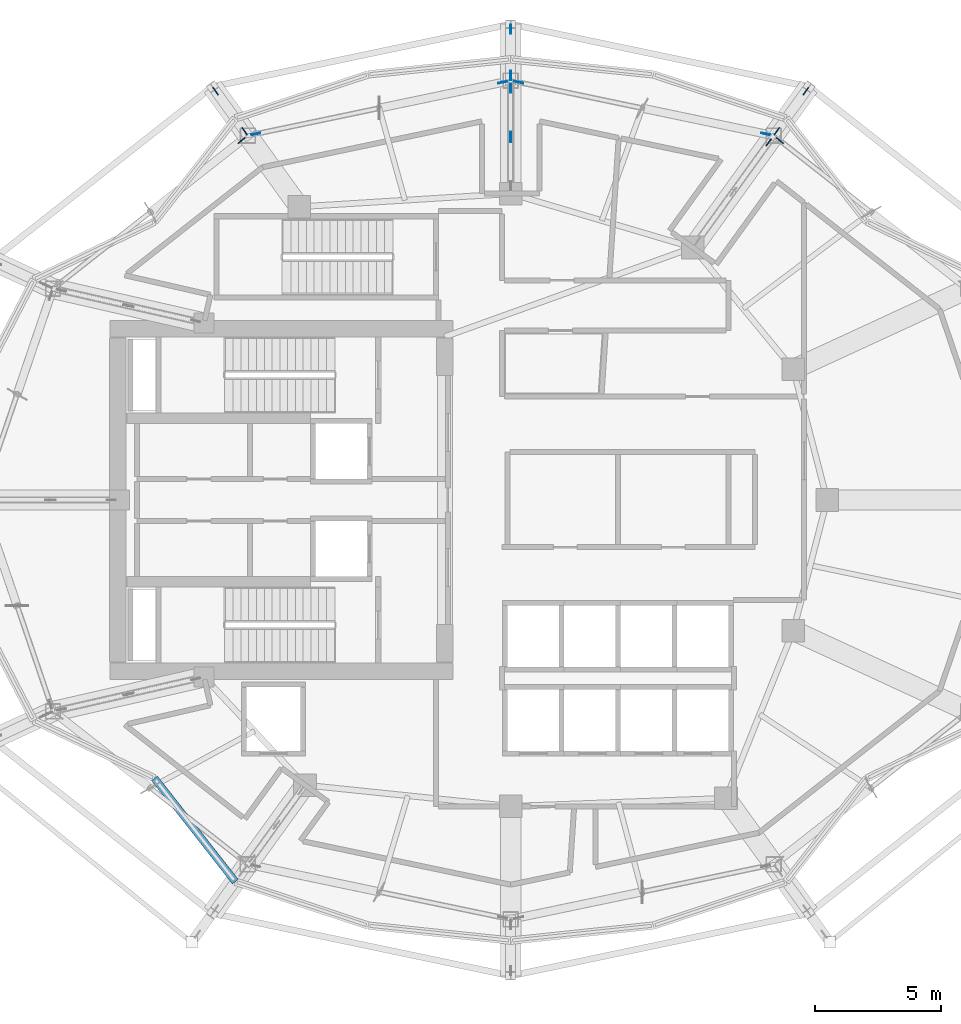
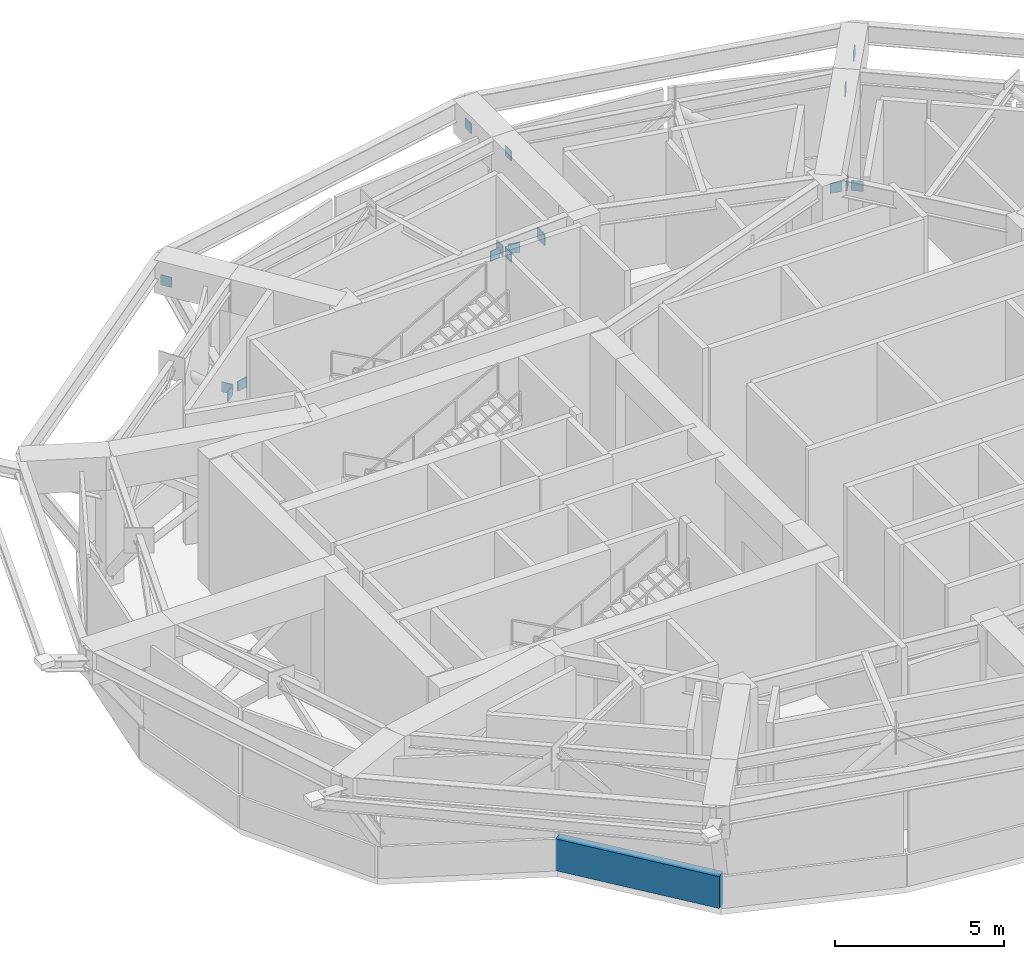
# One storey, part 7 of 13: 16 plates, 1 wall.
"""IFC4 building model written with IfcOpenShell, lengths in metres."""

import ifcopenshell
import ifcopenshell.guid

model = None  # the IFC model being written
_history = None  # IfcOwnerHistory: only IFC2X3 demands one
_inside = {}  # id of a spatial element -> (the spatial element, [elements in it])
_under = {}  # id of a project, library or spatial element -> (it, [spatial elements below it])
_declared = {}  # id of a project -> (the project, [libraries it declares])
_typed = {}  # id of a type object -> (the type object, [elements of that type])
_made_of = {}  # id of a material, layer set ... -> (it, [elements and type objects made of it])


def new_model(schema):
    """Start an empty IFC model of exactly this schema.

    Asked for "IFC4X3", IfcOpenShell would pick the latest addendum, in which some entities
    have other attributes; the version numbers below select the first issue.
    IFC2X3 requires an IfcOwnerHistory on every rooted entity: one is made here for all.
    """
    global model, _history
    if schema == "IFC4X3":
        model = ifcopenshell.file(schema_version=(4, 3, 0, 0))
    else:
        model = ifcopenshell.file(schema=schema)
    _inside.clear()
    _under.clear()
    _declared.clear()
    _typed.clear()
    _made_of.clear()
    _history = None
    if model.schema == "IFC2X3":
        org = make("IfcOrganization", Name="unknown")
        user = make(
            "IfcPersonAndOrganization",
            ThePerson=make("IfcPerson", FamilyName="unknown"),
            TheOrganization=org,
        )
        app = make(
            "IfcApplication",
            ApplicationDeveloper=org,
            Version="unknown",
            ApplicationFullName="unknown",
            ApplicationIdentifier="unknown",
        )
        _history = make(
            "IfcOwnerHistory",
            OwningUser=user,
            OwningApplication=app,
            ChangeAction="ADDED",
            CreationDate=0,
        )
    return model


def make(cls, **values):
    """One entity of the class cls with the attributes given. An attribute that is None is left unset."""
    return model.create_entity(
        cls, **{name: value for name, value in values.items() if value is not None}
    )


def rooted(cls, **values):
    """An entity with a GlobalId (a new one), such as an element, a storey or a relation."""
    return make(cls, GlobalId=ifcopenshell.guid.new(), OwnerHistory=_history, **values)


def si_unit(unit_type, name, prefix=None):
    """IfcSIUnit, for example si_unit("LENGTHUNIT", "METRE", prefix="MILLI")."""
    return make("IfcSIUnit", UnitType=unit_type, Prefix=prefix, Name=name)


def assignment(units):
    """IfcUnitAssignment: the units of a project."""
    return None if units is None else make("IfcUnitAssignment", Units=units)


def point(xyz):
    """IfcCartesianPoint."""
    return None if xyz is None else make("IfcCartesianPoint", Coordinates=xyz)


def direction(xyz):
    """IfcDirection."""
    return None if xyz is None else make("IfcDirection", DirectionRatios=xyz)


def frame(location, z_axis=None, x_axis=None):
    """IfcAxis2Placement3D, a coordinate frame: its origin and axes. An axis left out is left unset."""
    return make(
        "IfcAxis2Placement3D",
        Location=point(location),
        Axis=direction(z_axis),
        RefDirection=direction(x_axis),
    )


def frame_2d(location, x_axis=None):
    """IfcAxis2Placement2D, a coordinate frame in the plane: its origin and x axis."""
    return make(
        "IfcAxis2Placement2D", Location=point(location), RefDirection=direction(x_axis)
    )


def origin():
    """The frame at (0, 0, 0) with its axes left unset."""
    return frame((0.0, 0.0, 0.0))


def origin_2d():
    """The frame at (0, 0) in the plane with its x axis left unset."""
    return frame_2d((0.0, 0.0))


def place(relative_to, where):
    """IfcLocalPlacement: puts the frame where relative to a parent placement (None: the world)."""
    return make(
        "IfcLocalPlacement", PlacementRelTo=relative_to, RelativePlacement=where
    )


def context(
    kind, dimensions, precision=None, world=None, true_north=None, identifier=None
):
    """IfcGeometricRepresentationContext, for example the 3D "Model" context."""
    return make(
        "IfcGeometricRepresentationContext",
        ContextIdentifier=identifier,
        ContextType=kind,
        CoordinateSpaceDimension=dimensions,
        Precision=precision,
        WorldCoordinateSystem=world,
        TrueNorth=true_north,
    )


def subcontext(parent, identifier, kind, view, scale=None):
    """IfcGeometricRepresentationSubContext, for example "Body" below "Model"."""
    return make(
        "IfcGeometricRepresentationSubContext",
        ContextIdentifier=identifier,
        ContextType=kind,
        ParentContext=parent,
        TargetScale=scale,
        TargetView=view,
    )


def project(units=None, contexts=None):
    """IfcProject with its units and contexts."""
    return rooted(
        "IfcProject",
        Name="project",
        RepresentationContexts=contexts,
        UnitsInContext=assignment(units),
    )


def spatial(cls, under=None, at=None, **own):
    """A site, building, storey or space (cls), placed at a placement, below another one or the project."""
    s = rooted(cls, ObjectPlacement=at, **own)
    if under is not None:
        _under.setdefault(under.id(), (under, []))[1].append(s)
    return s


def profile(cls, at=None, kind="AREA", **sizes):
    """A parametric profile (cls). Its sizes go by their IFC names, for example OverallWidth=200.0."""
    return make(cls, ProfileType=kind, Position=at, **sizes)


def rectangle(**sizes):
    """IfcRectangleProfileDef."""
    return profile("IfcRectangleProfileDef", **sizes)


def extrude(swept, where, along, depth):
    """IfcExtrudedAreaSolid: the profile swept, set in the frame where, extruded along a direction by depth."""
    return make(
        "IfcExtrudedAreaSolid",
        SweptArea=swept,
        Position=where,
        ExtrudedDirection=direction(along),
        Depth=depth,
    )


def shape(context_of_items, identifier, shape_type, items):
    """IfcShapeRepresentation: the items that make up one representation, for example the "Body"."""
    return make(
        "IfcShapeRepresentation",
        ContextOfItems=context_of_items,
        RepresentationIdentifier=identifier,
        RepresentationType=shape_type,
        Items=items,
    )


def material(Name=None, Category=None):
    """IfcMaterial."""
    return make("IfcMaterial", Name=Name, Category=Category)


def layer(
    of_material, thickness, ventilated=None, Name=None, Category=None, Priority=None
):
    """IfcMaterialLayer: one layer of a wall or slab, of a material (None: an air gap)."""
    return make(
        "IfcMaterialLayer",
        Material=of_material,
        LayerThickness=thickness,
        IsVentilated=ventilated,
        Name=Name,
        Category=Category,
        Priority=Priority,
    )


def layer_set(layers, Name=None):
    """IfcMaterialLayerSet."""
    return make("IfcMaterialLayerSet", MaterialLayers=layers, LayerSetName=Name)


def made_of(thing, what):
    """Note that an element or type object is made of a material, layer set ...; save() writes the relation."""
    if what is not None:
        _made_of.setdefault(what.id(), (what, []))[1].append(thing)
    return thing


def type_object(cls, material=None, **own):
    """A type object (cls), such as IfcWallType, which elements share."""
    return made_of(rooted(cls, **own), material)


def element(
    cls,
    number,
    at=None,
    inside=None,
    cuts=None,
    type_object=None,
    material=None,
    context=None,
    identifier="Body",
    shape_type=None,
    held_by="IfcProductDefinitionShape",
    body=None,
    shapes=None,
    **own,
):
    """One element of the class cls, such as IfcWall. Its Tag is "e" and its number.

    at: its placement. inside: the storey or other place that contains it. cuts: it is an
    opening in that element (IfcRelVoidsElement). A single representation is given by context,
    identifier, shape_type and body (its items); several are given by shapes. held_by: the class
    of the entity that holds the representations. save() writes the other relations.
    """
    e = rooted(cls, Tag="e%d" % number, ObjectPlacement=at, **own)
    if body is not None:
        shapes = [shape(context, identifier, shape_type, body)]
    if shapes is not None:
        e.Representation = make(held_by, Representations=shapes)
    if inside is not None:
        _inside.setdefault(inside.id(), (inside, []))[1].append(e)
    if cuts is not None:
        rooted(
            "IfcRelVoidsElement", RelatingBuildingElement=cuts, RelatedOpeningElement=e
        )
    if type_object is not None:
        _typed.setdefault(type_object.id(), (type_object, []))[1].append(e)
    return made_of(e, material)


def aggregate(whole, parts):
    """IfcRelAggregates: a whole, such as a stair, and the parts it consists of."""
    return rooted("IfcRelAggregates", RelatingObject=whole, RelatedObjects=parts)


def save(model, path):
    """Write the relations noted so far, then the file.

    IfcRelAggregates (storeys below a building ...), IfcRelContainedInSpatialStructure (elements
    in a storey), IfcRelDefinesByType, IfcRelAssociatesMaterial and IfcRelDeclares: one each for
    every whole, place, type object, material and project.
    """
    for whole, parts in _under.values():
        aggregate(whole, parts)
    for where, things in _inside.values():
        rooted(
            "IfcRelContainedInSpatialStructure",
            RelatedElements=things,
            RelatingStructure=where,
        )
    for kind, things in _typed.values():
        rooted("IfcRelDefinesByType", RelatedObjects=things, RelatingType=kind)
    for what, things in _made_of.values():
        rooted("IfcRelAssociatesMaterial", RelatedObjects=things, RelatingMaterial=what)
    for by, libraries in _declared.values():
        rooted("IfcRelDeclares", RelatingContext=by, RelatedDefinitions=libraries)
    model.write(path)


model = new_model("IFC4")

# Units and contexts
model_context = context("Model", 3, precision=1e-05, world=origin(), true_north=direction((0.0, 1.0)))
body_context = subcontext(model_context, "Body", "Model", "MODEL_VIEW")
ifc_project = project(units=[si_unit("LENGTHUNIT", "METRE"), si_unit("AREAUNIT", "SQUARE_METRE"), si_unit("VOLUMEUNIT", "CUBIC_METRE"), si_unit("PLANEANGLEUNIT", "RADIAN"), si_unit("MASSUNIT", "GRAM", prefix="KILO")], contexts=[model_context])

# Site, building, storey
site_placement = place(None, origin())
site = spatial("IfcSite", under=ifc_project, at=site_placement, CompositionType="ELEMENT")
building_placement = place(site_placement, origin())
building = spatial("IfcBuilding", under=site, at=building_placement, Name="Kolvaren Gate Tower and Convention Centre", CompositionType="ELEMENT")
storey_placement = place(building_placement, frame((0.0, 0.0, 186.89990234375)))
storey = spatial("IfcBuildingStorey", under=building, at=storey_placement, Name="L49", CompositionType="ELEMENT", Elevation=186.89990234375)

# Plates
ifc_material_1 = material(Name="Structural steel plate ASTM A572 Grade 345 MPa", Category="steel")
ifc_layer_1 = layer(ifc_material_1, 0.035888671875)
ifc_layer_set_1 = layer_set([ifc_layer_1], Name="Structural steel plate ASTM A572 Grade 345 MPa")
plate_type_1 = type_object("IfcPlateType", Name="STR-PL-END-36", PredefinedType="USERDEFINED", material=ifc_layer_set_1)
for number, where, z_axis, x_axis, name in (
    (1, (40.722412109375, 41.68408203125, 0.28076171875), (0.0, 0.0, 1.0), (0.585184143922, 0.810900436369, 0.0), "Structural Brace End Connection Gusset Plate EGP-013"),
    (2, (41.87646484375, 43.283203125, 3.57958984375), (0.0, 0.0, 1.0), (0.585184143922, 0.810900436369, 0.0), "Structural Brace End Connection Gusset Plate EGP-014"),
    (3, (30.125, 43.905029296875, 0.28662109375), (0.0, 0.0, 1.0), (0.0, 1.0, 0.0), "Structural Brace End Connection Gusset Plate EGP-015"),
    (4, (30.125, 45.744873046875, 3.57373046875), (0.0, 0.0, 1.0), (0.0, 1.0, 0.0), "Structural Brace End Connection Gusset Plate EGP-016"),
    (5, (19.527587890625, 41.68408203125, 0.28076171875), (0.0, 0.0, 1.0), (-0.585211034077, 0.810881030482, 0.0), "Structural Brace End Connection Gusset Plate EGP-017"),
    (6, (18.37353515625, 43.283203125, 3.57958984375), (0.0, 0.0, 1.0), (-0.585211034077, 0.810881030482, 0.0), "Structural Brace End Connection Gusset Plate EGP-018"),
    (7, (40.846923828125, 41.3125, 0.34375), (0.0, 0.0, 1.0), (0.786452316471, -0.617650996856, 0.0), "Structural Brace End Connection Gusset Plate EGP-258"),
    (8, (40.274169921875, 41.576904296875, 0.33056640625), (0.0, 0.0, 1.0), (-0.978810959299, 0.204765978513, 0.0), "Structural Brace End Connection Gusset Plate EGP-259"),
    (9, (30.447265625, 43.632568359375, 0.33056640625), (0.0, 0.0, 1.0), (0.978810959299, -0.204765978513, 0.0), "Structural Brace End Connection Gusset Plate EGP-260"),
    (10, (29.802734375, 43.632568359375, 0.33056640625), (0.0, 0.0, 1.0), (-0.978810244525, -0.204769395207, 0.0), "Structural Brace End Connection Gusset Plate EGP-261"),
    (11, (19.97607421875, 41.576904296875, 0.33056640625), (0.0, 0.0, 1.0), (0.978810959299, 0.204765978513, 0.0), "Structural Brace End Connection Gusset Plate EGP-262"),
    (12, (19.403076171875, 41.3125, 0.34375), (0.0, 0.0, 1.0), (-0.786452316471, -0.617650996856, 0.0), "Structural Brace End Connection Gusset Plate EGP-263"),
    (13, (40.401611328125, 41.23974609375, 4.048828125), (0.0, 0.0, 1.0), (0.585230847463, 0.810866730837, 0.0), "Structural Brace End Connection Gusset Plate EGP-289"),
    (14, (30.125, 43.394287109375, 4.017578125), (0.0, 0.0, 1.0), (0.0, 1.0, 0.0), "Structural Brace End Connection Gusset Plate EGP-292"),
    (15, (30.125, 43.394287109375, 0.35791015625), (0.0, 0.0, 1.0), (0.0, -1.0, 0.0), "Structural Brace End Connection Gusset Plate EGP-293"),
):
    element("IfcPlate", number, at=place(storey_placement, frame(where, z_axis=z_axis, x_axis=x_axis)), inside=storey, type_object=plate_type_1, Name=name, ObjectType="GUSSET PLATE", PredefinedType="USERDEFINED", context=body_context, shape_type="SweptSolid", body=[
        extrude(rectangle(XDim=0.360107421875, YDim=0.035888671875, at=origin_2d()), origin(), (0.0, 0.0, 1.0), 0.360107421875),
    ])
ifc_layer_2 = layer(ifc_material_1, 0.035888671875)
ifc_layer_set_2 = layer_set([ifc_layer_2], Name="Structural steel plate ASTM A572 Grade 345 MPa")
plate_type_2 = type_object("IfcPlateType", Name="STR-PL-GUSSET-36", PredefinedType="USERDEFINED", material=ifc_layer_set_2)
plate_placement = place(storey_placement, frame((30.125, 41.449951171875, 2.157958984375), z_axis=(0.0, 0.0, 1.0), x_axis=(0.0, 1.0, 0.0)))
element("IfcPlate", 16, at=plate_placement, inside=storey, type_object=plate_type_2, Name="Outrigger Crossing Gusset Plate GP-OUT-L49-05X", ObjectType="GUSSET PLATE", PredefinedType="USERDEFINED", context=body_context, shape_type="SweptSolid", body=[
    extrude(rectangle(XDim=0.419921875, YDim=0.035888671875, at=origin_2d()), origin(), (0.0, 0.0, 1.0), 0.419921875),
])

# Wall
ifc_material_2 = material(Name="Piedmont Cream Honed Limestone Cladding", Category="masonry")
ifc_layer_3 = layer(ifc_material_2, 0.300048828125)
ifc_layer_set_3 = layer_set([ifc_layer_3], Name="Piedmont Cream Honed Limestone Cladding")
wall_type = type_object("IfcWallType", Name="ARCH-WL-STONE-300", PredefinedType="SOLIDWALL", material=ifc_layer_set_3)
wall_placement = place(storey_placement, frame((15.9365234375, 15.9140625, 0.0), z_axis=(0.0, 0.0, 1.0), x_axis=(0.616429245738, -0.787410302828, 0.0)))
element("IfcWall", 17, at=wall_placement, inside=storey, type_object=wall_type, Name="Plant Floor L49 Stone Sill Wall EW-15", PredefinedType="SOLIDWALL", context=body_context, shape_type="SweptSolid", body=[
    extrude(rectangle(XDim=5.22314453125, YDim=0.300048828125, at=frame_2d((2.611572265625, 0.0))), origin(), (0.0, 0.0, 1.0), 1.150146484375),
])

save(model, "model.ifc")
